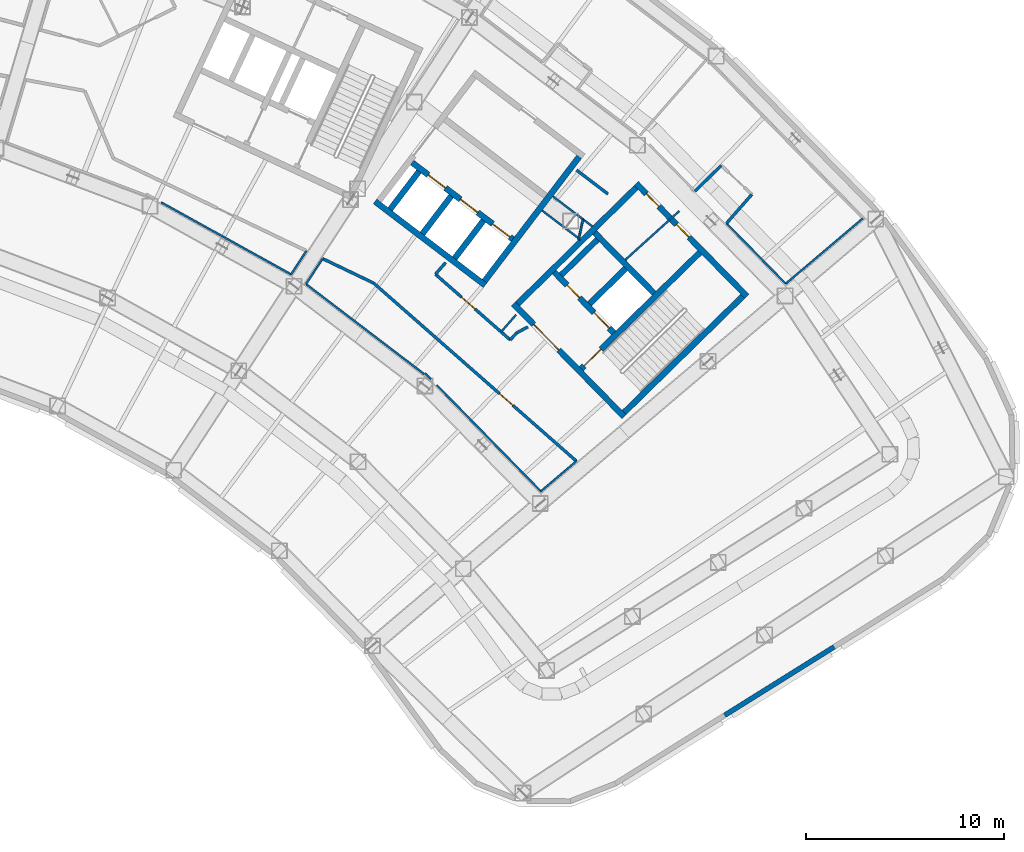
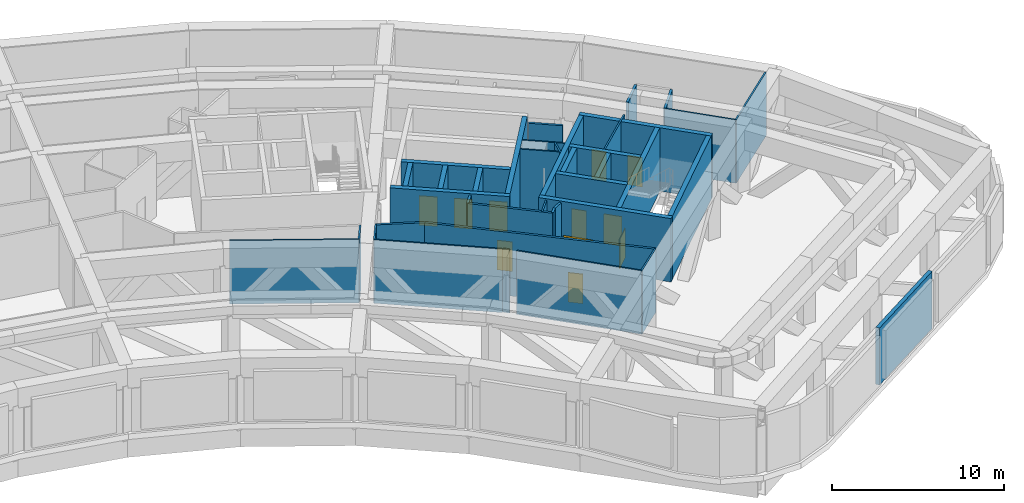
# One storey, part 13 of 30: 39 walls, 11 doors, 11 openings.
"""IFC4 building model written with IfcOpenShell, lengths in metres."""

from ifc_helpers import new_model, si_unit, direction, frame, frame_2d, origin, place, context, subcontext, project, spatial, rectangle, extrude, material, layer, layer_set, type_object, element, fill, save


model = new_model("IFC4")

# Units and contexts
model_context = context("Model", 3, precision=1e-05, world=origin(), true_north=direction((0.0, 1.0)))
body_context = subcontext(model_context, "Body", "Model", "MODEL_VIEW")
ifc_project = project(units=[si_unit("LENGTHUNIT", "METRE"), si_unit("AREAUNIT", "SQUARE_METRE"), si_unit("VOLUMEUNIT", "CUBIC_METRE"), si_unit("PLANEANGLEUNIT", "RADIAN"), si_unit("MASSUNIT", "GRAM", prefix="KILO")], contexts=[model_context])

# Site, building, storey
site_placement = place(None, origin())
site = spatial("IfcSite", under=ifc_project, at=site_placement, CompositionType="ELEMENT")
building_placement = place(site_placement, origin())
building = spatial("IfcBuilding", under=site, at=building_placement, Name="Tuul Gate Civic Tower", CompositionType="ELEMENT")
storey_placement = place(building_placement, frame((0.0, 0.0, 26.699951171875)))
storey = spatial("IfcBuildingStorey", under=building, at=storey_placement, Name="Plant and refuge floor 1", CompositionType="ELEMENT", Elevation=26.699951171875)

# Wall, opening, door
ifc_material_1 = material(Name="Concrete C50/60", Category="concrete")
ifc_layer_1 = layer(ifc_material_1, 0.300048828125)
ifc_layer_set_1 = layer_set([ifc_layer_1], Name="Concrete C50/60")
wall_type_1 = type_object("IfcWallType", Name="Core wall C50/60", PredefinedType="SHEAR", material=ifc_layer_set_1)
wall_1_placement = place(storey_placement, frame((48.22509765625, -18.327880859375, 0.0), z_axis=(0.0, 0.0, 1.0), x_axis=(-0.700021979774, 0.714121297703, 0.0)))
wall_1 = element("IfcWall", 1, at=wall_1_placement, inside=storey, type_object=wall_type_1, Name="Core wall", PredefinedType="SHEAR", context=body_context, shape_type="SweptSolid", body=[
    extrude(rectangle(XDim=8.0, YDim=0.300048828125, at=frame_2d((4.0, 0.0))), origin(), (0.0, 0.0, 1.0), 4.5),
])
opening_1_placement = place(wall_1_placement, frame((4.72509765625, 0.0, 0.0)))
opening_1 = element("IfcOpeningElement", 2, at=opening_1_placement, cuts=wall_1, Name="Opening LB-E1-LOBBY-1", PredefinedType="OPENING", context=body_context, shape_type="SweptSolid", body=[
    extrude(rectangle(XDim=1.800048828125, YDim=2.10009765625, at=frame_2d((0.89990234375, 1.050048828125))), frame((0.0, 0.16015625, 0.0), z_axis=(0.0, -1.0, 0.0), x_axis=(1.0, 0.0, 0.0)), (0.0, 0.0, 1.0), 0.320068359375),
])
ifc_material_2 = material(Name="Steel", Category="steel")
door_type_1 = type_object("IfcDoorType", Name="Lobby door", OperationType="DOUBLE_DOOR_SINGLE_SWING", PredefinedType="DOOR", material=ifc_material_2)
door_1_placement = place(opening_1_placement, frame((1.800048828125, 0.0, 0.0), z_axis=(0.0, 0.0, 1.0), x_axis=(-1.0, 0.0, 0.0)))
door_1 = element("IfcDoor", 3, at=door_1_placement, inside=storey, type_object=door_type_1, Name="Lobby door E1-LOBBY", OperationType="DOUBLE_DOOR_SINGLE_SWING", OverallHeight=2.10009765625, OverallWidth=1.800048828125, PredefinedType="DOOR", context=body_context, shape_type="SweptSolid", body=[
    extrude(rectangle(XDim=1.800048828125, YDim=2.10009765625, at=frame_2d((0.900146484375, 1.050048828125))), frame((0.0, 0.02490234375, 0.0), z_axis=(0.0, -1.0, 0.0), x_axis=(1.0, 0.0, 0.0)), (0.0, 0.0, 1.0), 0.050048828125),
])
fill(opening_1, door_1)

# Wall, openings, doors
wall_2_placement = place(storey_placement, frame((47.701904296875, -14.079833984375, 0.0), z_axis=(0.0, 0.0, 1.0), x_axis=(-0.700002721075, 0.714140175657, 0.0)))
wall_2 = element("IfcWall", 4, at=wall_2_placement, inside=storey, type_object=wall_type_1, Name="Core wall", PredefinedType="SHEAR", context=body_context, shape_type="SweptSolid", body=[
    extrude(rectangle(XDim=4.300048828125, YDim=0.300048828125, at=frame_2d((2.14990234375, 0.0))), origin(), (0.0, 0.0, 1.0), 4.5),
])
opening_2_placement = place(wall_2_placement, frame((0.324951171875, 0.0, 0.0)))
opening_2 = element("IfcOpeningElement", 5, at=opening_2_placement, cuts=wall_2, Name="Opening LD-L4", PredefinedType="OPENING", context=body_context, shape_type="SweptSolid", body=[
    extrude(rectangle(XDim=1.10009765625, YDim=2.10009765625, at=frame_2d((0.550048828125, 1.050048828125))), frame((0.0, 0.16015625, 0.0), z_axis=(0.0, -1.0, 0.0), x_axis=(1.0, 0.0, 0.0)), (0.0, 0.0, 1.0), 0.320068359375),
])
opening_3_placement = place(wall_2_placement, frame((2.47509765625, 0.0, 0.0)))
opening_3 = element("IfcOpeningElement", 6, at=opening_3_placement, cuts=wall_2, Name="Opening FB-E1A2", PredefinedType="OPENING", context=body_context, shape_type="SweptSolid", body=[
    extrude(rectangle(XDim=0.89990234375, YDim=2.10009765625, at=frame_2d((0.449951171875, 1.050048828125))), frame((0.0, 0.16015625, 0.0), z_axis=(0.0, -1.0, 0.0), x_axis=(1.0, 0.0, 0.0)), (0.0, 0.0, 1.0), 0.320068359375),
])
ifc_material_3 = material(Name="Stainless steel", Category="steel")
door_type_2 = type_object("IfcDoorType", Name="Landing door", OperationType="DOUBLE_DOOR_SLIDING", PredefinedType="DOOR", material=ifc_material_3)
door_2_placement = place(opening_2_placement, origin())
door_2 = element("IfcDoor", 7, at=door_2_placement, inside=storey, type_object=door_type_2, Name="Low-rise lift L4 landing door", OperationType="DOUBLE_DOOR_SLIDING", OverallHeight=2.10009765625, OverallWidth=1.10009765625, PredefinedType="DOOR", context=body_context, shape_type="SweptSolid", body=[
    extrude(rectangle(XDim=1.10009765625, YDim=2.10009765625, at=frame_2d((0.550048828125, 1.050048828125))), frame((0.0, 0.02490234375, 0.0), z_axis=(0.0, -1.0, 0.0), x_axis=(1.0, 0.0, 0.0)), (0.0, 0.0, 1.0), 0.050048828125),
])
fill(opening_2, door_2)
ifc_material_4 = material(Name="Steel", Category="steel")
door_type_3 = type_object("IfcDoorType", Name="Store door", OperationType="NOTDEFINED", PredefinedType="DOOR", material=ifc_material_4)
door_3_placement = place(opening_3_placement, frame((0.89990234375, 0.0, 0.0), z_axis=(0.0, 0.0, 1.0), x_axis=(-1.0, 0.0, 0.0)))
door_3 = element("IfcDoor", 8, at=door_3_placement, inside=storey, type_object=door_type_3, Name="Store door E1A2", OperationType="SINGLE_SWING_LEFT", OverallHeight=2.10009765625, OverallWidth=0.89990234375, PredefinedType="DOOR", context=body_context, shape_type="SweptSolid", body=[
    extrude(rectangle(XDim=0.89990234375, YDim=2.10009765625, at=frame_2d((0.449951171875, 1.050048828125))), frame((0.0, 0.02490234375, 0.0), z_axis=(0.0, -1.0, 0.0), x_axis=(1.0, 0.0, 0.0)), (0.0, 0.0, 1.0), 0.050048828125),
])
fill(opening_3, door_3)

# Wall
wall_3_placement = place(storey_placement, frame((49.737060546875, -12.0849609375, 0.0), z_axis=(0.0, 0.0, 1.0), x_axis=(-0.700002721075, 0.714140175657, 0.0)))
element("IfcWall", 9, at=wall_3_placement, inside=storey, type_object=wall_type_1, Name="Core wall", PredefinedType="SHEAR", context=body_context, shape_type="SweptSolid", body=[
    extrude(rectangle(XDim=4.300048828125, YDim=0.300048828125, at=frame_2d((2.14990234375, 0.0))), origin(), (0.0, 0.0, 1.0), 4.5),
])

# Wall, openings, doors
wall_4_placement = place(storey_placement, frame((54.43798828125, -12.23779296875, 0.0), z_axis=(0.0, 0.0, 1.0), x_axis=(-0.700021979774, 0.714121297703, 0.0)))
wall_4 = element("IfcWall", 10, at=wall_4_placement, inside=storey, type_object=wall_type_1, Name="Core wall", PredefinedType="SHEAR", context=body_context, shape_type="SweptSolid", body=[
    extrude(rectangle(XDim=8.0, YDim=0.300048828125, at=frame_2d((4.0, 0.0))), origin(), (0.0, 0.0, 1.0), 4.5),
])
opening_4_placement = place(wall_4_placement, frame((4.18798828125, 0.0, 0.0)))
opening_4 = element("IfcOpeningElement", 11, at=opening_4_placement, cuts=wall_4, Name="Opening PA-D27", PredefinedType="OPENING", context=body_context, shape_type="SweptSolid", body=[
    extrude(rectangle(XDim=0.89990234375, YDim=2.10009765625, at=frame_2d((0.449951171875, 1.050048828125))), frame((0.0, 0.16015625, 0.0), z_axis=(0.0, -1.0, 0.0), x_axis=(1.0, 0.0, 0.0)), (0.0, 0.0, 1.0), 0.320068359375),
])
opening_5_placement = place(wall_4_placement, frame((6.362548828125, 0.0, 0.0)))
opening_5 = element("IfcOpeningElement", 12, at=opening_5_placement, cuts=wall_4, Name="Opening PA-D28", PredefinedType="OPENING", context=body_context, shape_type="SweptSolid", body=[
    extrude(rectangle(XDim=0.89990234375, YDim=2.10009765625, at=frame_2d((0.449951171875, 1.050048828125))), frame((0.0, 0.16015625, 0.0), z_axis=(0.0, -1.0, 0.0), x_axis=(1.0, 0.0, 0.0)), (0.0, 0.0, 1.0), 0.320068359375),
])
ifc_material_5 = material(Name="Timber door leaf", Category="wood")
door_type_4 = type_object("IfcDoorType", Name="Door D09", OperationType="NOTDEFINED", PredefinedType="DOOR", material=ifc_material_5)
door_4_placement = place(opening_4_placement, origin())
door_4 = element("IfcDoor", 13, at=door_4_placement, inside=storey, type_object=door_type_4, Name="Door PA-D27", OperationType="SINGLE_SWING_RIGHT", OverallHeight=2.10009765625, OverallWidth=0.89990234375, PredefinedType="DOOR", context=body_context, shape_type="SweptSolid", body=[
    extrude(rectangle(XDim=0.89990234375, YDim=2.10009765625, at=frame_2d((0.449951171875, 1.050048828125))), frame((0.0, 0.02490234375, 0.0), z_axis=(0.0, -1.0, 0.0), x_axis=(1.0, 0.0, 0.0)), (0.0, 0.0, 1.0), 0.050048828125),
])
fill(opening_4, door_4)
door_5_placement = place(opening_5_placement, origin())
door_5 = element("IfcDoor", 14, at=door_5_placement, inside=storey, type_object=door_type_4, Name="Door PA-D28", OperationType="SINGLE_SWING_LEFT", OverallHeight=2.10009765625, OverallWidth=0.89990234375, PredefinedType="DOOR", context=body_context, shape_type="SweptSolid", body=[
    extrude(rectangle(XDim=0.89990234375, YDim=2.10009765625, at=frame_2d((0.449951171875, 1.050048828125))), frame((0.0, 0.02490234375, 0.0), z_axis=(0.0, -1.0, 0.0), x_axis=(1.0, 0.0, 0.0)), (0.0, 0.0, 1.0), 0.050048828125),
])
fill(opening_5, door_5)

# Wall
wall_5_placement = place(storey_placement, frame((48.227294921875, -18.115966796875, 0.0), z_axis=(0.0, 0.0, 1.0), x_axis=(0.714105315431, 0.700038283577, 0.0)))
element("IfcWall", 15, at=wall_5_placement, inside=storey, type_object=wall_type_1, Name="Core wall", PredefinedType="SHEAR", context=body_context, shape_type="SweptSolid", body=[
    extrude(rectangle(XDim=8.400146484375, YDim=0.300048828125, at=frame_2d((4.2001953125, 0.0))), origin(), (0.0, 0.0, 1.0), 4.5),
])

# Wall, opening, door
wall_6_placement = place(storey_placement, frame((46.05712890625, -15.902099609375, 0.0), z_axis=(0.0, 0.0, 1.0), x_axis=(0.714134086973, 0.700008932674, 0.0)))
wall_6 = element("IfcWall", 16, at=wall_6_placement, inside=storey, type_object=wall_type_1, Name="Core wall", PredefinedType="SHEAR", context=body_context, shape_type="SweptSolid", body=[
    extrude(rectangle(XDim=8.400146484375, YDim=0.300048828125, at=frame_2d((4.2001953125, 0.0))), origin(), (0.0, 0.0, 1.0), 4.5),
])
opening_6_placement = place(wall_6_placement, frame((0.199951171875, 0.0, 0.0)))
opening_6 = element("IfcOpeningElement", 17, at=opening_6_placement, cuts=wall_6, Name="Opening SD-ST-3", PredefinedType="OPENING", context=body_context, shape_type="SweptSolid", body=[
    extrude(rectangle(XDim=1.199951171875, YDim=2.10009765625, at=frame_2d((0.60009765625, 1.050048828125))), frame((0.0, 0.16015625, 0.0), z_axis=(0.0, -1.0, 0.0), x_axis=(1.0, 0.0, 0.0)), (0.0, 0.0, 1.0), 0.320068359375),
])
ifc_material_6 = material(Name="Steel", Category="steel")
door_type_5 = type_object("IfcDoorType", Name="Stair door", OperationType="NOTDEFINED", PredefinedType="DOOR", material=ifc_material_6)
door_6_placement = place(opening_6_placement, origin())
door_6 = element("IfcDoor", 18, at=door_6_placement, inside=storey, type_object=door_type_5, Name="Stair door ST-3", OperationType="SINGLE_SWING_LEFT", OverallHeight=2.10009765625, OverallWidth=1.199951171875, PredefinedType="DOOR", context=body_context, shape_type="SweptSolid", body=[
    extrude(rectangle(XDim=1.199951171875, YDim=2.10009765625, at=frame_2d((0.60009765625, 1.050048828125))), frame((0.0, 0.02490234375, 0.0), z_axis=(0.0, -1.0, 0.0), x_axis=(1.0, 0.0, 0.0)), (0.0, 0.0, 1.0), 0.050048828125),
])
fill(opening_6, door_6)

# Walls
wall_7_placement = place(storey_placement, frame((46.47900390625, -12.617919921875, 0.0), z_axis=(0.0, 0.0, 1.0), x_axis=(0.71410944159, 0.700034074479, 0.0)))
element("IfcWall", 19, at=wall_7_placement, inside=storey, type_object=wall_type_1, Name="Core wall", PredefinedType="SHEAR", context=body_context, shape_type="SweptSolid", body=[
    extrude(rectangle(XDim=2.5498046875, YDim=0.300048828125, at=frame_2d((1.27490234375, 0.0))), origin(), (0.0, 0.0, 1.0), 4.5),
])
wall_8_placement = place(storey_placement, frame((45.0439453125, -11.154052734375, 0.0), z_axis=(0.0, 0.0, 1.0), x_axis=(0.714108498262, 0.700035036773, 0.0)))
element("IfcWall", 20, at=wall_8_placement, inside=storey, type_object=wall_type_1, Name="Core wall", PredefinedType="SHEAR", context=body_context, shape_type="SweptSolid", body=[
    extrude(rectangle(XDim=2.550048828125, YDim=0.300048828125, at=frame_2d((1.27490234375, 0.0))), origin(), (0.0, 0.0, 1.0), 4.5),
])
wall_9_placement = place(storey_placement, frame((42.837158203125, -12.616943359375, 0.0), z_axis=(0.0, 0.0, 1.0), x_axis=(0.714119844755, 0.700023461983, 0.0)))
element("IfcWall", 21, at=wall_9_placement, inside=storey, type_object=wall_type_1, Name="Core wall", PredefinedType="SHEAR", context=body_context, shape_type="SweptSolid", body=[
    extrude(rectangle(XDim=8.39990234375, YDim=0.300048828125, at=frame_2d((4.199951171875, 0.0))), origin(), (0.0, 0.0, 1.0), 4.5),
])
ifc_material_7 = material(Name="Gypsum board partition")
ifc_layer_2 = layer(ifc_material_7, 0.14990234375)
ifc_layer_set_2 = layer_set([ifc_layer_2], Name="Gypsum board partition")
wall_type_2 = type_object("IfcWallType", Name="Corridor wall P150", PredefinedType="PARTITIONING", material=ifc_layer_set_2)
wall_10_placement = place(storey_placement, frame((38.677978515625, -11.12109375, 0.0), z_axis=(0.0, 0.0, 1.0), x_axis=(0.659895747714, 0.751357173486, 0.0)))
element("IfcWall", 22, at=wall_10_placement, inside=storey, type_object=wall_type_2, Name="p001", PredefinedType="PARTITIONING", context=body_context, shape_type="SweptSolid", body=[
    extrude(rectangle(XDim=0.7822265625, YDim=0.14990234375, at=frame_2d((0.39111328125, 0.0))), origin(), (0.0, 0.0, 1.0), 4.5),
])
wall_11_placement = place(storey_placement, frame((45.816650390625, -5.850830078125, 0.0), z_axis=(0.0, 0.0, 1.0), x_axis=(0.795675303016, -0.605723379251, 0.0)))
element("IfcWall", 23, at=wall_11_placement, inside=storey, type_object=wall_type_2, Name="p002", PredefinedType="PARTITIONING", context=body_context, shape_type="SweptSolid", body=[
    extrude(rectangle(XDim=2.001220703125, YDim=0.14990234375, at=frame_2d((1.00048828125, 0.0))), origin(), (0.0, 0.0, 1.0), 4.5),
])

# Wall, opening, door
wall_12_placement = place(storey_placement, frame((38.677978515625, -11.12109375, 0.0), z_axis=(0.0, 0.0, 1.0), x_axis=(0.751467770495, -0.659769800693, 0.0)))
wall_12 = element("IfcWall", 24, at=wall_12_placement, inside=storey, type_object=wall_type_2, Name="p003", PredefinedType="PARTITIONING", context=body_context, shape_type="SweptSolid", body=[
    extrude(rectangle(XDim=5.037353515625, YDim=0.14990234375, at=frame_2d((2.5185546875, 0.0))), origin(), (0.0, 0.0, 1.0), 4.5),
])
opening_7_placement = place(wall_12_placement, frame((1.760009765625, 0.0, 0.0)))
opening_7 = element("IfcOpeningElement", 25, at=opening_7_placement, cuts=wall_12, Name="Opening PA-D011", PredefinedType="OPENING", context=body_context, shape_type="SweptSolid", body=[
    extrude(rectangle(XDim=0.89990234375, YDim=2.10009765625, at=frame_2d((0.449951171875, 1.050048828125))), frame((0.0, 0.0849609375, 0.0), z_axis=(0.0, -1.0, 0.0), x_axis=(1.0, 0.0, 0.0)), (0.0, 0.0, 1.0), 0.169921875),
])
door_7_placement = place(opening_7_placement, origin())
door_7 = element("IfcDoor", 26, at=door_7_placement, inside=storey, type_object=door_type_4, Name="Door PA-D01", OperationType="SINGLE_SWING_RIGHT", OverallHeight=2.10009765625, OverallWidth=0.89990234375, PredefinedType="DOOR", context=body_context, shape_type="SweptSolid", body=[
    extrude(rectangle(XDim=0.89990234375, YDim=2.10009765625, at=frame_2d((0.449951171875, 1.050048828125))), frame((0.0, 0.02490234375, 0.0), z_axis=(0.0, -1.0, 0.0), x_axis=(1.0, 0.0, 0.0)), (0.0, 0.0, 1.0), 0.050048828125),
])
fill(opening_7, door_7)

wall_13_placement = place(storey_placement, frame((35.552734375, -11.5712890625, 0.0), z_axis=(0.0, 0.0, 1.0), x_axis=(0.751477851041, -0.659758318928, 0.0)))
wall_13 = element("IfcWall", 27, at=wall_13_placement, inside=storey, type_object=wall_type_2, Name="p005", PredefinedType="PARTITIONING", context=body_context, shape_type="SweptSolid", body=[
    extrude(rectangle(XDim=13.65234375, YDim=0.14990234375, at=frame_2d((6.826171875, 0.0))), origin(), (0.0, 0.0, 1.0), 4.5),
])
opening_8_placement = place(wall_13_placement, frame((8.47607421875, 0.0, 0.0)))
opening_8 = element("IfcOpeningElement", 28, at=opening_8_placement, cuts=wall_13, Name="Opening PA-D021", PredefinedType="OPENING", context=body_context, shape_type="SweptSolid", body=[
    extrude(rectangle(XDim=0.89990234375, YDim=2.10009765625, at=frame_2d((0.449951171875, 1.050048828125))), frame((0.0, 0.0849609375, 0.0), z_axis=(0.0, -1.0, 0.0), x_axis=(1.0, 0.0, 0.0)), (0.0, 0.0, 1.0), 0.169921875),
])
door_8_placement = place(opening_8_placement, frame((0.89990234375, 0.0, 0.0), z_axis=(0.0, 0.0, 1.0), x_axis=(-1.0, 0.0, 0.0)))
door_8 = element("IfcDoor", 29, at=door_8_placement, inside=storey, type_object=door_type_4, Name="Door PA-D02", OperationType="SINGLE_SWING_LEFT", OverallHeight=2.10009765625, OverallWidth=0.89990234375, PredefinedType="DOOR", context=body_context, shape_type="SweptSolid", body=[
    extrude(rectangle(XDim=0.89990234375, YDim=2.10009765625, at=frame_2d((0.449951171875, 1.050048828125))), frame((0.0, 0.02490234375, 0.0), z_axis=(0.0, -1.0, 0.0), x_axis=(1.0, 0.0, 0.0)), (0.0, 0.0, 1.0), 0.050048828125),
])
fill(opening_8, door_8)

# Walls
wall_14_placement = place(storey_placement, frame((32.968994140625, -10.331787109375, 0.0), z_axis=(0.0, 0.0, 1.0), x_axis=(0.901782747799, -0.432189629414, 0.0)))
element("IfcWall", 30, at=wall_14_placement, inside=storey, type_object=wall_type_2, Name="p007", PredefinedType="PARTITIONING", context=body_context, shape_type="SweptSolid", body=[
    extrude(rectangle(XDim=2.85888671875, YDim=0.14990234375, at=frame_2d((1.429443359375, 0.0))), origin(), (0.0, 0.0, 1.0), 4.5),
])
wall_15_placement = place(storey_placement, frame((51.81005859375, -6.920166015625, 0.0), z_axis=(0.0, 0.0, 1.0), x_axis=(0.714220709138, 0.699920551662, 0.0)))
element("IfcWall", 31, at=wall_15_placement, inside=storey, type_object=wall_type_2, Name="p010", PredefinedType="PARTITIONING", context=body_context, shape_type="SweptSolid", body=[
    extrude(rectangle(XDim=1.86083984375, YDim=0.14990234375, at=frame_2d((0.930419921875, 0.0))), origin(), (0.0, 0.0, 1.0), 4.5),
])
wall_16_placement = place(storey_placement, frame((53.4033203125, -8.54541015625, 0.0), z_axis=(0.0, 0.0, 1.0), x_axis=(0.659764888848, 0.751472082943, 0.0)))
element("IfcWall", 32, at=wall_16_placement, inside=storey, type_object=wall_type_2, Name="p011", PredefinedType="PARTITIONING", context=body_context, shape_type="SweptSolid", body=[
    extrude(rectangle(XDim=1.946044921875, YDim=0.14990234375, at=frame_2d((0.97314453125, 0.0))), origin(), (0.0, 0.0, 1.0), 4.5),
])
wall_17_placement = place(storey_placement, frame((42.46337890625, -14.444580078125, 0.0), z_axis=(0.0, 0.0, 1.0), x_axis=(0.672126621362, 0.740436226056, 0.0)))
element("IfcWall", 33, at=wall_17_placement, inside=storey, type_object=wall_type_2, Name="p060", PredefinedType="PARTITIONING", context=body_context, shape_type="SweptSolid", body=[
    extrude(rectangle(XDim=0.48974609375, YDim=0.14990234375, at=frame_2d((0.244873046875, 0.0))), origin(), (0.0, 0.0, 1.0), 4.5),
])
wall_18_placement = place(storey_placement, frame((42.79248046875, -14.08203125, 0.0), z_axis=(0.0, 0.0, 1.0), x_axis=(0.885560202319, 0.464524625901, 0.0)))
element("IfcWall", 34, at=wall_18_placement, inside=storey, type_object=wall_type_2, Name="p061", PredefinedType="PARTITIONING", context=body_context, shape_type="SweptSolid", body=[
    extrude(rectangle(XDim=0.63427734375, YDim=0.14990234375, at=frame_2d((0.317138671875, 0.0))), origin(), (0.0, 0.0, 1.0), 4.5),
])
ifc_material_8 = material(Name="Precast concrete C40/50", Category="concrete")
ifc_layer_3 = layer(ifc_material_8, 0.25)
ifc_layer_set_3 = layer_set([ifc_layer_3], Name="Precast concrete C40/50")
wall_type_3 = type_object("IfcWallType", Name="External wall", PredefinedType="STANDARD", material=ifc_layer_set_3)
wall_19_placement = place(storey_placement, frame((53.315185546875, -33.435546875, 0.0), z_axis=(0.0, 0.0, 1.0), x_axis=(0.848042412856, 0.529928359306, 0.0)))
element("IfcWall", 35, at=wall_19_placement, inside=storey, type_object=wall_type_3, Name="External wall", PredefinedType="STANDARD", context=body_context, shape_type="SweptSolid", body=[
    extrude(rectangle(XDim=6.529541015625, YDim=0.25, at=frame_2d((3.2646484375, 0.0))), origin(), (0.0, 0.0, 1.0), 4.050048828125),
])
ifc_material_9 = material(Name="Concrete C40/50", Category="concrete")
ifc_layer_4 = layer(ifc_material_9, 0.300048828125)
ifc_layer_set_4 = layer_set([ifc_layer_4], Name="Concrete C40/50")
wall_type_4 = type_object("IfcWallType", Name="Lift shaft wall C40/50", PredefinedType="STANDARD", material=ifc_layer_set_4)
wall_20_placement = place(storey_placement, frame((41.19189453125, -11.677734375, 0.0), z_axis=(0.0, 0.0, 1.0), x_axis=(-0.795563000331, 0.605870871147, 0.0)))
element("IfcWall", 36, at=wall_20_placement, inside=storey, type_object=wall_type_4, Name="Shaft wall", PredefinedType="STANDARD", context=body_context, shape_type="SweptSolid", body=[
    extrude(rectangle(XDim=7.000244140625, YDim=0.300048828125, at=frame_2d((3.5, 0.0))), origin(), (0.0, 0.0, 1.0), 4.5),
])

# Wall, openings, doors
wall_21_placement = place(storey_placement, frame((42.5888671875, -9.34765625, 0.0), z_axis=(0.0, 0.0, 1.0), x_axis=(-0.795584062101, 0.605843214149, 0.0)))
wall_21 = element("IfcWall", 37, at=wall_21_placement, inside=storey, type_object=wall_type_4, Name="Shaft wall", PredefinedType="STANDARD", context=body_context, shape_type="SweptSolid", body=[
    extrude(rectangle(XDim=6.400146484375, YDim=0.300048828125, at=frame_2d((3.2001953125, 0.0))), origin(), (0.0, 0.0, 1.0), 4.5),
])
opening_9_placement = place(wall_21_placement, frame((0.175048828125, 0.0, 0.0)))
opening_9 = element("IfcOpeningElement", 38, at=opening_9_placement, cuts=wall_21, Name="Opening LD-L1", PredefinedType="OPENING", context=body_context, shape_type="SweptSolid", body=[
    extrude(rectangle(XDim=1.10009765625, YDim=2.10009765625, at=frame_2d((0.550048828125, 1.050048828125))), frame((0.0, 0.16015625, 0.0), z_axis=(0.0, -1.0, 0.0), x_axis=(1.0, 0.0, 0.0)), (0.0, 0.0, 1.0), 0.320068359375),
])
opening_10_placement = place(wall_21_placement, frame((2.22509765625, 0.0, 0.0)))
opening_10 = element("IfcOpeningElement", 39, at=opening_10_placement, cuts=wall_21, Name="Opening LD-L2", PredefinedType="OPENING", context=body_context, shape_type="SweptSolid", body=[
    extrude(rectangle(XDim=1.10009765625, YDim=2.10009765625, at=frame_2d((0.550048828125, 1.050048828125))), frame((0.0, 0.16015625, 0.0), z_axis=(0.0, -1.0, 0.0), x_axis=(1.0, 0.0, 0.0)), (0.0, 0.0, 1.0), 0.320068359375),
])
opening_11_placement = place(wall_21_placement, frame((4.27490234375, 0.0, 0.0)))
opening_11 = element("IfcOpeningElement", 40, at=opening_11_placement, cuts=wall_21, Name="Opening LD-L3", PredefinedType="OPENING", context=body_context, shape_type="SweptSolid", body=[
    extrude(rectangle(XDim=1.10009765625, YDim=2.10009765625, at=frame_2d((0.550048828125, 1.050048828125))), frame((0.0, 0.16015625, 0.0), z_axis=(0.0, -1.0, 0.0), x_axis=(1.0, 0.0, 0.0)), (0.0, 0.0, 1.0), 0.320068359375),
])
door_9_placement = place(opening_9_placement, origin())
door_9 = element("IfcDoor", 41, at=door_9_placement, inside=storey, type_object=door_type_2, Name="Low-rise lift L1 landing door", OperationType="DOUBLE_DOOR_SLIDING", OverallHeight=2.10009765625, OverallWidth=1.10009765625, PredefinedType="DOOR", context=body_context, shape_type="SweptSolid", body=[
    extrude(rectangle(XDim=1.10009765625, YDim=2.10009765625, at=frame_2d((0.550048828125, 1.050048828125))), frame((0.0, 0.02490234375, 0.0), z_axis=(0.0, -1.0, 0.0), x_axis=(1.0, 0.0, 0.0)), (0.0, 0.0, 1.0), 0.050048828125),
])
fill(opening_9, door_9)
door_10_placement = place(opening_10_placement, origin())
door_10 = element("IfcDoor", 42, at=door_10_placement, inside=storey, type_object=door_type_2, Name="Low-rise lift L2 landing door", OperationType="DOUBLE_DOOR_SLIDING", OverallHeight=2.10009765625, OverallWidth=1.10009765625, PredefinedType="DOOR", context=body_context, shape_type="SweptSolid", body=[
    extrude(rectangle(XDim=1.10009765625, YDim=2.10009765625, at=frame_2d((0.550048828125, 1.050048828125))), frame((0.0, 0.02490234375, 0.0), z_axis=(0.0, -1.0, 0.0), x_axis=(1.0, 0.0, 0.0)), (0.0, 0.0, 1.0), 0.050048828125),
])
fill(opening_10, door_10)
door_11_placement = place(opening_11_placement, origin())
door_11 = element("IfcDoor", 43, at=door_11_placement, inside=storey, type_object=door_type_2, Name="Low-rise lift L3 landing door", OperationType="DOUBLE_DOOR_SLIDING", OverallHeight=2.10009765625, OverallWidth=1.10009765625, PredefinedType="DOOR", context=body_context, shape_type="SweptSolid", body=[
    extrude(rectangle(XDim=1.10009765625, YDim=2.10009765625, at=frame_2d((0.550048828125, 1.050048828125))), frame((0.0, 0.02490234375, 0.0), z_axis=(0.0, -1.0, 0.0), x_axis=(1.0, 0.0, 0.0)), (0.0, 0.0, 1.0), 0.050048828125),
])
fill(opening_11, door_11)

# Walls
wall_22_placement = place(storey_placement, frame((41.163330078125, -11.46728515625, 0.0), z_axis=(0.0, 0.0, 1.0), x_axis=(0.605784332699, 0.795628897324, 0.0)))
element("IfcWall", 44, at=wall_22_placement, inside=storey, type_object=wall_type_4, Name="Shaft wall", PredefinedType="STANDARD", context=body_context, shape_type="SweptSolid", body=[
    extrude(rectangle(XDim=7.89990234375, YDim=0.300048828125, at=frame_2d((3.949951171875, 0.0))), origin(), (0.0, 0.0, 1.0), 4.5),
])
wall_23_placement = place(storey_placement, frame((39.65185546875, -10.31640625, 0.0), z_axis=(0.0, 0.0, 1.0), x_axis=(0.605745892068, 0.79565816419, 0.0)))
element("IfcWall", 45, at=wall_23_placement, inside=storey, type_object=wall_type_4, Name="Shaft wall", PredefinedType="STANDARD", context=body_context, shape_type="SweptSolid", body=[
    extrude(rectangle(XDim=2.400146484375, YDim=0.300048828125, at=frame_2d((1.2001953125, 0.0))), origin(), (0.0, 0.0, 1.0), 4.5),
])
wall_24_placement = place(storey_placement, frame((38.02099609375, -9.07421875, 0.0), z_axis=(0.0, 0.0, 1.0), x_axis=(0.605730519254, 0.795669867498, 0.0)))
element("IfcWall", 46, at=wall_24_placement, inside=storey, type_object=wall_type_4, Name="Shaft wall", PredefinedType="STANDARD", context=body_context, shape_type="SweptSolid", body=[
    extrude(rectangle(XDim=2.399658203125, YDim=0.300048828125, at=frame_2d((1.19970703125, 0.0))), origin(), (0.0, 0.0, 1.0), 4.5),
])
wall_25_placement = place(storey_placement, frame((36.389892578125, -7.832275390625, 0.0), z_axis=(0.0, 0.0, 1.0), x_axis=(0.605745892068, 0.79565816419, 0.0)))
element("IfcWall", 47, at=wall_25_placement, inside=storey, type_object=wall_type_4, Name="Shaft wall", PredefinedType="STANDARD", context=body_context, shape_type="SweptSolid", body=[
    extrude(rectangle(XDim=2.400146484375, YDim=0.300048828125, at=frame_2d((1.2001953125, 0.0))), origin(), (0.0, 0.0, 1.0), 4.5),
])
ifc_material_10 = material(Name="Gypsum board partition")
ifc_layer_5 = layer(ifc_material_10, 0.10009765625)
ifc_layer_set_5 = layer_set([ifc_layer_5], Name="Gypsum board partition")
wall_type_5 = type_object("IfcWallType", Name="Partition P100", PredefinedType="PARTITIONING", material=ifc_layer_set_5)
wall_26_placement = place(storey_placement, frame((41.99951171875, -14.037353515625, 0.0), z_axis=(0.0, 0.0, 1.0), x_axis=(0.659801173215, 0.751440225051, 0.0)))
element("IfcWall", 48, at=wall_26_placement, inside=storey, type_object=wall_type_5, Name="p004", PredefinedType="PARTITIONING", context=body_context, shape_type="SweptSolid", body=[
    extrude(rectangle(XDim=1.1455078125, YDim=0.10009765625, at=frame_2d((0.57275390625, 0.0))), origin(), (0.0, 0.0, 1.0), 4.5),
])
wall_27_placement = place(storey_placement, frame((44.072265625, -7.894287109375, 0.0), z_axis=(0.0, 0.0, 1.0), x_axis=(0.795626877669, -0.605786985277, 0.0)))
element("IfcWall", 49, at=wall_27_placement, inside=storey, type_object=wall_type_5, Name="p062", PredefinedType="PARTITIONING", context=body_context, shape_type="SweptSolid", body=[
    extrude(rectangle(XDim=2.383056640625, YDim=0.10009765625, at=frame_2d((1.19140625, 0.0))), origin(), (0.0, 0.0, 1.0), 4.5),
])
wall_28_placement = place(storey_placement, frame((45.92041015625, -9.384521484375, 0.0), z_axis=(0.0, 0.0, 1.0), x_axis=(0.209950778124, 0.977711956951, 0.0)))
element("IfcWall", 50, at=wall_28_placement, inside=storey, type_object=wall_type_5, Name="p063", PredefinedType="PARTITIONING", context=body_context, shape_type="SweptSolid", body=[
    extrude(rectangle(XDim=1.0673828125, YDim=0.10009765625, at=frame_2d((0.53369140625, 0.0))), origin(), (0.0, 0.0, 1.0), 4.5),
])
wall_29_placement = place(storey_placement, frame((46.61767578125, -8.701171875, 0.0), z_axis=(0.0, 0.0, 1.0), x_axis=(-0.795632307967, 0.60577985318, 0.0)))
element("IfcWall", 51, at=wall_29_placement, inside=storey, type_object=wall_type_5, Name="p064", PredefinedType="PARTITIONING", context=body_context, shape_type="SweptSolid", body=[
    extrude(rectangle(XDim=2.513916015625, YDim=0.10009765625, at=frame_2d((1.2568359375, 0.0))), origin(), (0.0, 0.0, 1.0), 4.5),
])
wall_30_placement = place(storey_placement, frame((45.812255859375, -20.57861328125, 0.0), z_axis=(0.0, 0.0, 1.0), x_axis=(-0.762841173072, -0.646585914374, 0.0)))
element("IfcWall", 52, at=wall_30_placement, inside=storey, type_object=wall_type_5, Name="p065", PredefinedType="PARTITIONING", context=body_context, shape_type="SweptSolid", body=[
    extrude(rectangle(XDim=2.362548828125, YDim=0.10009765625, at=frame_2d((1.18115234375, 0.0))), origin(), (0.0, 0.0, 1.0), 4.5),
])
wall_31_placement = place(storey_placement, frame((44.010009765625, -22.106201171875, 0.0), z_axis=(0.0, 0.0, 1.0), x_axis=(-0.699996781374, 0.714145997725, 0.0)))
element("IfcWall", 53, at=wall_31_placement, inside=storey, type_object=wall_type_5, Name="p066", PredefinedType="PARTITIONING", context=body_context, shape_type="SweptSolid", body=[
    extrude(rectangle(XDim=7.52294921875, YDim=0.10009765625, at=frame_2d((3.761474609375, 0.0))), origin(), (0.0, 0.0, 1.0), 4.5),
])
wall_32_placement = place(storey_placement, frame((38.448486328125, -16.432373046875, 0.0), z_axis=(0.0, 0.0, 1.0), x_axis=(-0.699755461265, 0.714382456693, 0.0)))
element("IfcWall", 54, at=wall_32_placement, inside=storey, type_object=wall_type_5, Name="p067", PredefinedType="PARTITIONING", context=body_context, shape_type="SweptSolid", body=[
    extrude(rectangle(XDim=0.417236328125, YDim=0.10009765625, at=frame_2d((0.20849609375, 0.0))), origin(), (0.0, 0.0, 1.0), 4.5),
])
wall_33_placement = place(storey_placement, frame((38.11279296875, -16.177001953125, 0.0), z_axis=(0.0, 0.0, 1.0), x_axis=(-0.795609002698, 0.605810461139, 0.0)))
element("IfcWall", 55, at=wall_33_placement, inside=storey, type_object=wall_type_5, Name="p068", PredefinedType="PARTITIONING", context=body_context, shape_type="SweptSolid", body=[
    extrude(rectangle(XDim=7.5224609375, YDim=0.10009765625, at=frame_2d((3.76123046875, 0.0))), origin(), (0.0, 0.0, 1.0), 4.5),
])
wall_34_placement = place(storey_placement, frame((32.1279296875, -11.619873046875, 0.0), z_axis=(0.0, 0.0, 1.0), x_axis=(0.546727596571, 0.837310536867, 0.0)))
element("IfcWall", 56, at=wall_34_placement, inside=storey, type_object=wall_type_5, Name="p069", PredefinedType="PARTITIONING", context=body_context, shape_type="SweptSolid", body=[
    extrude(rectangle(XDim=1.538330078125, YDim=0.10009765625, at=frame_2d((0.76904296875, 0.0))), origin(), (0.0, 0.0, 1.0), 4.5),
])
wall_35_placement = place(storey_placement, frame((60.301025390625, -8.297607421875, 0.0), z_axis=(0.0, 0.0, 1.0), x_axis=(-0.762848096374, -0.646577746182, 0.0)))
element("IfcWall", 57, at=wall_35_placement, inside=storey, type_object=wall_type_5, Name="p072", PredefinedType="PARTITIONING", context=body_context, shape_type="SweptSolid", body=[
    extrude(rectangle(XDim=5.113037109375, YDim=0.10009765625, at=frame_2d((2.556640625, 0.0))), origin(), (0.0, 0.0, 1.0), 4.5),
])
wall_36_placement = place(storey_placement, frame((56.400634765625, -11.603515625, 0.0), z_axis=(0.0, 0.0, 1.0), x_axis=(-0.699972787688, 0.714169515238, 0.0)))
element("IfcWall", 58, at=wall_36_placement, inside=storey, type_object=wall_type_5, Name="p073", PredefinedType="PARTITIONING", context=body_context, shape_type="SweptSolid", body=[
    extrude(rectangle(XDim=4.281982421875, YDim=0.10009765625, at=frame_2d((2.14111328125, 0.0))), origin(), (0.0, 0.0, 1.0), 4.5),
])
wall_37_placement = place(storey_placement, frame((32.150390625, -9.939208984375, 0.0), z_axis=(0.0, 0.0, 1.0), x_axis=(-0.546656004911, -0.837357278762, 0.0)))
element("IfcWall", 59, at=wall_37_placement, inside=storey, type_object=wall_type_5, Name="p086", PredefinedType="PARTITIONING", context=body_context, shape_type="SweptSolid", body=[
    extrude(rectangle(XDim=1.41943359375, YDim=0.10009765625, at=frame_2d((0.709716796875, 0.0))), origin(), (0.0, 0.0, 1.0), 4.5),
])
wall_38_placement = place(storey_placement, frame((31.37451171875, -11.127685546875, 0.0), z_axis=(0.0, 0.0, 1.0), x_axis=(-0.874602335664, 0.484840957894, 0.0)))
element("IfcWall", 60, at=wall_38_placement, inside=storey, type_object=wall_type_5, Name="p087", PredefinedType="PARTITIONING", context=body_context, shape_type="SweptSolid", body=[
    extrude(rectangle(XDim=7.5234375, YDim=0.10009765625, at=frame_2d((3.76171875, 0.0))), origin(), (0.0, 0.0, 1.0), 4.5),
])
wall_39_placement = place(storey_placement, frame((48.28662109375, -10.390869140625, 0.0), z_axis=(0.0, 0.0, 1.0), x_axis=(0.742014386758, 0.670383957031, 0.0)))
element("IfcWall", 61, at=wall_39_placement, inside=storey, type_object=wall_type_5, Name="bE1-BAND-0", PredefinedType="PARTITIONING", context=body_context, shape_type="SweptSolid", body=[
    extrude(rectangle(XDim=3.684326171875, YDim=0.10009765625, at=frame_2d((1.84228515625, 0.0))), origin(), (0.0, 0.0, 1.0), 4.5),
])

save(model, "model.ifc")
